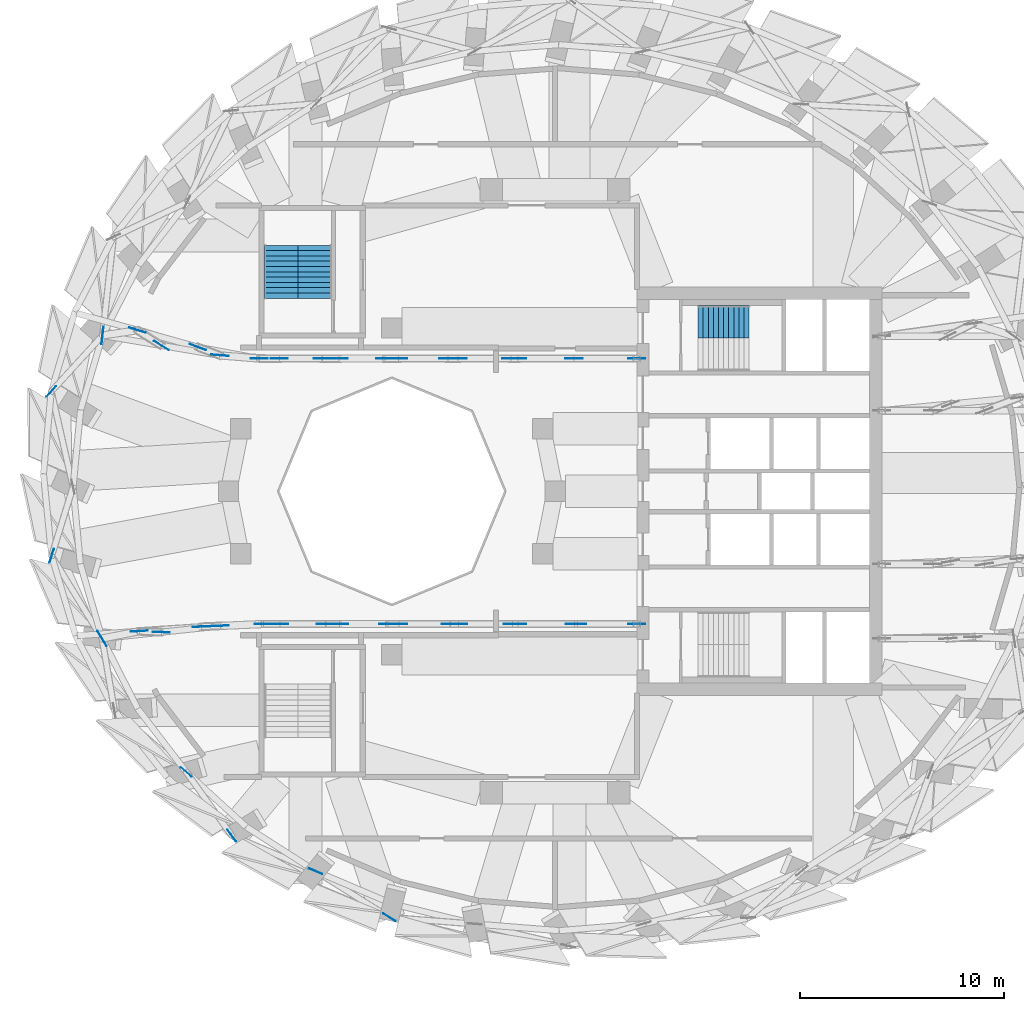
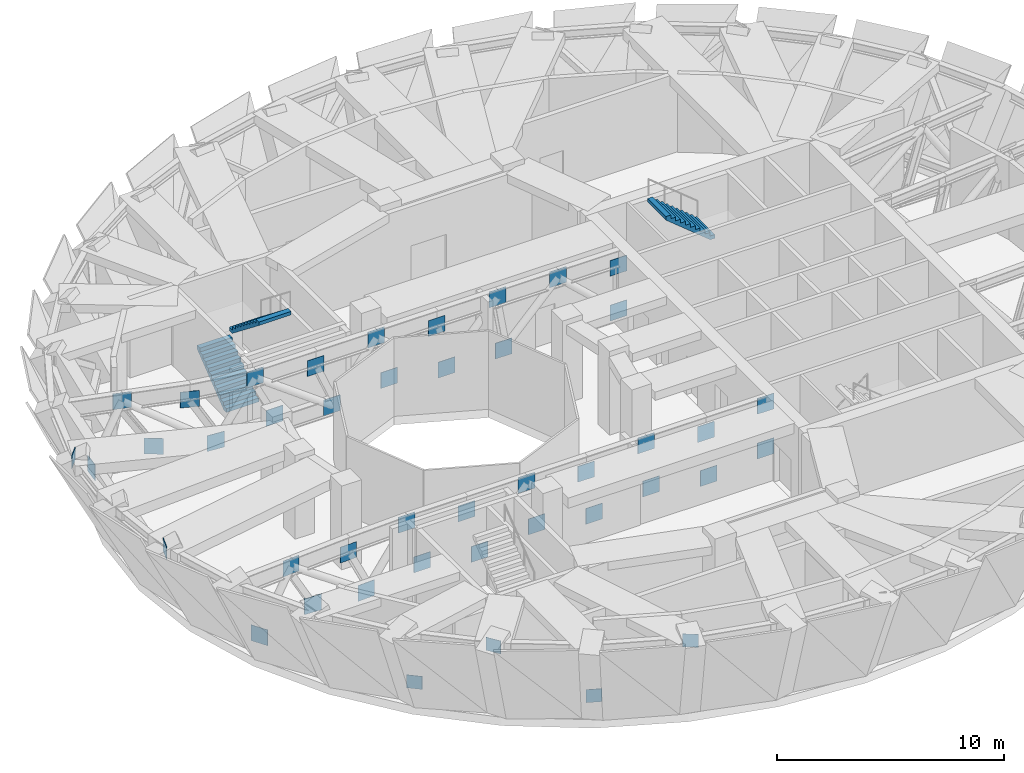
# One storey, part 10 of 16: 43 discrete accessories, 3 stair flights, 2 elements without a shape of their own.
"""IFC4 building model written with IfcOpenShell, lengths in metres."""

from ifc_helpers import new_model, si_unit, direction, frame, origin, origin_2d, place, context, subcontext, project, spatial, polyline, rectangle, outline, extrude, material, type_object, element, aggregate, save


model = new_model("IFC4")

# Units and contexts
model_context = context("Model", 3, precision=1e-05, world=origin(), true_north=direction((0.0, 1.0)))
body_context = subcontext(model_context, "Body", "Model", "MODEL_VIEW")
ifc_project = project(units=[si_unit("LENGTHUNIT", "METRE"), si_unit("AREAUNIT", "SQUARE_METRE"), si_unit("VOLUMEUNIT", "CUBIC_METRE"), si_unit("PLANEANGLEUNIT", "RADIAN"), si_unit("MASSUNIT", "GRAM", prefix="KILO")], contexts=[model_context])

# Site, building, storey
site_placement = place(None, origin())
site = spatial("IfcSite", under=ifc_project, at=site_placement, CompositionType="ELEMENT")
building_placement = place(site_placement, origin())
building = spatial("IfcBuilding", under=site, at=building_placement, Name="Taillehof Tower", CompositionType="ELEMENT")
storey_placement = place(building_placement, frame((0.0, 0.0, 184.699951171875)))
storey = spatial("IfcBuildingStorey", under=building, at=storey_placement, Name="L52", CompositionType="ELEMENT", Elevation=184.699951171875)

# Stair, stair flight
ifc_material_1 = material(Name="Concrete C40/50", Category="concrete")
stair_type = type_object("IfcStairType", Name="Exit stair half-turn", PredefinedType="HALF_TURN_STAIR", material=ifc_material_1)
stair_1_placement = place(storey_placement, origin())
stair_1 = element("IfcStair", 1, at=stair_1_placement, inside=storey, type_object=stair_type, Name="Exit stair S1", PredefinedType="HALF_TURN_STAIR")
ifc_material_2 = material(Name="Concrete C40/50", Category="concrete")
stair_flight_type_1 = type_object("IfcStairFlightType", Name="Stair flight 1600 riser 204.5 going 250", PredefinedType="STRAIGHT", material=ifc_material_2)
stair_flight_1_placement = place(storey_placement, frame((9.5, 8.300048828125, 2.25), z_axis=(0.0, 0.0, 1.0), x_axis=(-1.0, 0.0, 0.0)))
stair_flight_1 = element("IfcStairFlight", 2, at=stair_flight_1_placement, type_object=stair_flight_type_1, Name="S1 flight 2", NumberOfRisers=11, NumberOfTreads=10, PredefinedType="STRAIGHT", RiserHeight=0.204545455, TreadLength=0.25, context=body_context, shape_type="SweptSolid", body=[
    extrude(outline(polyline([(0.0, 0.0), (0.0, 0.006103515625), (0.0, 0.011962890625), (0.0, 0.01806640625), (0.0, 0.024169921875), (0.0, 0.030029296875), (0.0, 0.0361328125), (0.0, 0.0419921875), (0.0, 0.048095703125), (0.0, 0.05419921875), (0.0, 0.06005859375), (0.0, 0.066162109375), (0.0, 0.072265625), (0.0, 0.078125), (0.0, 0.084228515625), (0.0, 0.09033203125), (0.0, 0.09619140625), (0.0, 0.102294921875), (0.0, 0.1083984375), (0.0, 0.1142578125), (0.0, 0.120361328125), (0.0, 0.126220703125), (0.0, 0.13232421875), (0.0, 0.138427734375), (0.0, 0.144287109375), (0.0, 0.150390625), (0.0, 0.156494140625), (0.0, 0.162353515625), (0.0, 0.16845703125), (0.0, 0.174560546875), (0.0, 0.180419921875), (0.0, 0.1865234375), (0.0, 0.192626953125), (0.0, 0.198486328125), (0.0, 0.20458984375), (0.25, 0.20458984375), (0.25, 0.4091796875), (0.5, 0.4091796875), (0.5, 0.613525390625), (0.75, 0.613525390625), (0.75, 0.818115234375), (1.0, 0.818115234375), (1.0, 1.022705078125), (1.25, 1.022705078125), (1.25, 1.227294921875), (1.5, 1.227294921875), (1.5, 1.431884765625), (1.75, 1.431884765625), (1.75, 1.636474609375), (2.0, 1.636474609375), (2.0, 1.8408203125), (2.25, 1.8408203125), (2.25, 2.04541015625), (2.5, 2.04541015625), (2.5, 2.039794921875), (2.5, 2.0341796875), (2.5, 2.0283203125), (2.5, 2.022705078125), (2.5, 2.01708984375), (2.5, 2.01123046875), (2.5, 2.005615234375), (2.5, 2.0), (2.5, 1.994140625), (2.5, 1.988525390625), (2.5, 1.98291015625), (2.5, 1.97705078125), (2.5, 1.971435546875), (2.5, 1.9658203125), (2.5, 1.9599609375), (2.5, 1.954345703125), (2.5, 1.94873046875), (2.5, 1.94287109375), (2.5, 1.937255859375), (2.5, 1.931640625), (2.5, 1.92578125), (2.5, 1.920166015625), (2.5, 1.91455078125), (2.5, 1.90869140625), (2.5, 1.903076171875), (2.5, 1.8974609375), (2.5, 1.8916015625), (2.5, 1.885986328125), (2.5, 1.88037109375), (2.5, 1.87451171875), (2.5, 1.868896484375), (2.5, 1.86328125), (2.5, 1.857421875), (2.5, 1.851806640625), (0.23681640625, 0.0), (0.0, 0.0)])), frame((0.0, 0.800048828125, 0.0), z_axis=(0.0, -1.0, 0.0), x_axis=(1.0, 0.0, 0.0)), (0.0, 0.0, 1.0), 1.6),
])
aggregate(stair_1, [stair_flight_1])

# Stair, stair flights
stair_2_placement = place(storey_placement, origin())
stair_2 = element("IfcStair", 3, at=stair_2_placement, inside=storey, type_object=stair_type, Name="Exit stair S3", PredefinedType="HALF_TURN_STAIR")
ifc_material_3 = material(Name="Concrete C40/50", Category="concrete")
stair_flight_type_2 = type_object("IfcStairFlightType", Name="Stair flight 1650 riser 204.5 going 260", PredefinedType="STRAIGHT", material=ifc_material_3)
stair_flight_2_placement = place(storey_placement, frame((-13.425048828125, 9.449951171875, 0.0), z_axis=(0.0, 0.0, 1.0), x_axis=(0.0, 1.0, 0.0)))
stair_flight_2 = element("IfcStairFlight", 4, at=stair_flight_2_placement, type_object=stair_flight_type_2, Name="S3 flight 1", NumberOfRisers=11, NumberOfTreads=10, PredefinedType="STRAIGHT", RiserHeight=0.204545455, TreadLength=0.26, context=body_context, shape_type="SweptSolid", body=[
    extrude(outline(polyline([(0.0, 0.0), (0.0, 0.006103515625), (0.0, 0.011962890625), (0.0, 0.01806640625), (0.0, 0.024169921875), (0.0, 0.030029296875), (0.0, 0.0361328125), (0.0, 0.0419921875), (0.0, 0.048095703125), (0.0, 0.05419921875), (0.0, 0.06005859375), (0.0, 0.066162109375), (0.0, 0.072265625), (0.0, 0.078125), (0.0, 0.084228515625), (0.0, 0.09033203125), (0.0, 0.09619140625), (0.0, 0.102294921875), (0.0, 0.1083984375), (0.0, 0.1142578125), (0.0, 0.120361328125), (0.0, 0.126220703125), (0.0, 0.13232421875), (0.0, 0.138427734375), (0.0, 0.144287109375), (0.0, 0.150390625), (0.0, 0.156494140625), (0.0, 0.162353515625), (0.0, 0.16845703125), (0.0, 0.174560546875), (0.0, 0.180419921875), (0.0, 0.1865234375), (0.0, 0.192626953125), (0.0, 0.198486328125), (0.0, 0.20458984375), (0.260009765625, 0.20458984375), (0.260009765625, 0.4091796875), (0.52001953125, 0.4091796875), (0.52001953125, 0.613525390625), (0.780029296875, 0.613525390625), (0.780029296875, 0.818115234375), (1.0400390625, 0.818115234375), (1.0400390625, 1.022705078125), (1.300048828125, 1.022705078125), (1.300048828125, 1.227294921875), (1.56005859375, 1.227294921875), (1.56005859375, 1.431884765625), (1.820068359375, 1.431884765625), (1.820068359375, 1.636474609375), (2.080078125, 1.636474609375), (2.080078125, 1.8408203125), (2.340087890625, 1.8408203125), (2.340087890625, 2.04541015625), (2.60009765625, 2.04541015625), (2.60009765625, 2.039794921875), (2.60009765625, 2.0341796875), (2.60009765625, 2.028564453125), (2.60009765625, 2.02294921875), (2.60009765625, 2.017333984375), (2.60009765625, 2.01171875), (2.60009765625, 2.006103515625), (2.60009765625, 2.00048828125), (2.60009765625, 1.994873046875), (2.60009765625, 1.9892578125), (2.60009765625, 1.983642578125), (2.60009765625, 1.97802734375), (2.60009765625, 1.972412109375), (2.60009765625, 1.966796875), (2.60009765625, 1.96142578125), (2.60009765625, 1.955810546875), (2.60009765625, 1.9501953125), (2.60009765625, 1.944580078125), (2.60009765625, 1.93896484375), (2.60009765625, 1.933349609375), (2.60009765625, 1.927734375), (2.60009765625, 1.922119140625), (2.60009765625, 1.91650390625), (2.60009765625, 1.910888671875), (2.60009765625, 1.9052734375), (2.60009765625, 1.899658203125), (2.60009765625, 1.89404296875), (2.60009765625, 1.888427734375), (2.60009765625, 1.8828125), (2.60009765625, 1.877197265625), (2.60009765625, 1.87158203125), (2.60009765625, 1.865966796875), (2.60009765625, 1.8603515625), (2.60009765625, 1.854736328125), (0.242431640625, 0.0), (0.0, 0.0)])), frame((0.0, 0.824951171875, 0.0), z_axis=(0.0, -1.0, 0.0), x_axis=(1.0, 0.0, 0.0)), (0.0, 0.0, 1.0), 1.65),
])
stair_flight_3_placement = place(storey_placement, frame((-11.77490234375, 12.050048828125, 2.25), z_axis=(0.0, 0.0, 1.0), x_axis=(0.0, -1.0, 0.0)))
stair_flight_3 = element("IfcStairFlight", 5, at=stair_flight_3_placement, type_object=stair_flight_type_2, Name="S3 flight 2", NumberOfRisers=11, NumberOfTreads=10, PredefinedType="STRAIGHT", RiserHeight=0.204545455, TreadLength=0.26, context=body_context, shape_type="SweptSolid", body=[
    extrude(outline(polyline([(0.0, 0.0), (0.0, 0.006103515625), (0.0, 0.011962890625), (0.0, 0.01806640625), (0.0, 0.024169921875), (0.0, 0.030029296875), (0.0, 0.0361328125), (0.0, 0.0419921875), (0.0, 0.048095703125), (0.0, 0.05419921875), (0.0, 0.06005859375), (0.0, 0.066162109375), (0.0, 0.072265625), (0.0, 0.078125), (0.0, 0.084228515625), (0.0, 0.09033203125), (0.0, 0.09619140625), (0.0, 0.102294921875), (0.0, 0.1083984375), (0.0, 0.1142578125), (0.0, 0.120361328125), (0.0, 0.126220703125), (0.0, 0.13232421875), (0.0, 0.138427734375), (0.0, 0.144287109375), (0.0, 0.150390625), (0.0, 0.156494140625), (0.0, 0.162353515625), (0.0, 0.16845703125), (0.0, 0.174560546875), (0.0, 0.180419921875), (0.0, 0.1865234375), (0.0, 0.192626953125), (0.0, 0.198486328125), (0.0, 0.20458984375), (0.260009765625, 0.20458984375), (0.260009765625, 0.4091796875), (0.52001953125, 0.4091796875), (0.52001953125, 0.613525390625), (0.780029296875, 0.613525390625), (0.780029296875, 0.818115234375), (1.0400390625, 0.818115234375), (1.0400390625, 1.022705078125), (1.300048828125, 1.022705078125), (1.300048828125, 1.227294921875), (1.56005859375, 1.227294921875), (1.56005859375, 1.431884765625), (1.820068359375, 1.431884765625), (1.820068359375, 1.636474609375), (2.080078125, 1.636474609375), (2.080078125, 1.8408203125), (2.340087890625, 1.8408203125), (2.340087890625, 2.04541015625), (2.60009765625, 2.04541015625), (2.60009765625, 2.039794921875), (2.60009765625, 2.0341796875), (2.60009765625, 2.028564453125), (2.60009765625, 2.02294921875), (2.60009765625, 2.017333984375), (2.60009765625, 2.01171875), (2.60009765625, 2.006103515625), (2.60009765625, 2.00048828125), (2.60009765625, 1.994873046875), (2.60009765625, 1.9892578125), (2.60009765625, 1.983642578125), (2.60009765625, 1.97802734375), (2.60009765625, 1.972412109375), (2.60009765625, 1.966796875), (2.60009765625, 1.96142578125), (2.60009765625, 1.955810546875), (2.60009765625, 1.9501953125), (2.60009765625, 1.944580078125), (2.60009765625, 1.93896484375), (2.60009765625, 1.933349609375), (2.60009765625, 1.927734375), (2.60009765625, 1.922119140625), (2.60009765625, 1.91650390625), (2.60009765625, 1.910888671875), (2.60009765625, 1.9052734375), (2.60009765625, 1.899658203125), (2.60009765625, 1.89404296875), (2.60009765625, 1.888427734375), (2.60009765625, 1.8828125), (2.60009765625, 1.877197265625), (2.60009765625, 1.87158203125), (2.60009765625, 1.865966796875), (2.60009765625, 1.8603515625), (2.60009765625, 1.854736328125), (0.242431640625, 0.0), (0.0, 0.0)])), frame((0.0, 0.824951171875, 0.0), z_axis=(0.0, -1.0, 0.0), x_axis=(1.0, 0.0, 0.0)), (0.0, 0.0, 1.0), 1.65),
])
aggregate(stair_2, [stair_flight_2, stair_flight_3])

# Discrete accessories
ifc_material_4 = material(Name="Steel S460M", Category="steel")
discrete_accessory_type = type_object("IfcDiscreteAccessoryType", Name="Steel gusset plate", PredefinedType="BRACKET", material=ifc_material_4)
for number, where, z_axis, x_axis, name in (
    (6, (-24.679931640625, 4.889892578125, 3.6201171875), (0.0, 0.0, 1.0), (-0.6749993535, -0.737818319625, 0.0), "Gusset plate 206"),
    (7, (-24.659912109375, -3.159912109375, 3.6201171875), (0.0, 0.0, 1.0), (-0.296511571993, -0.955029260114, 0.0), "Gusset plate 207"),
):
    element("IfcDiscreteAccessory", number, at=place(storey_placement, frame(where, z_axis=z_axis, x_axis=x_axis)), inside=storey, type_object=discrete_accessory_type, Name=name, PredefinedType="BRACKET", context=body_context, shape_type="SweptSolid", body=[
        extrude(rectangle(XDim=0.699951171875, YDim=0.02490234375, at=origin_2d()), origin(), (0.0, 0.0, 1.0), 0.699951171875),
    ])
for number, where, z_axis, x_axis, name in (
    (8, (-22.18994140625, -7.2099609375, 0.47509765625), (0.0, 0.0, 1.0), (0.521182429514, -0.853445297114, 0.0), "Gusset plate 209"),
    (9, (-22.169921875, 7.6298828125, 0.47509765625), (0.0, 0.0, 1.0), (-0.110464627626, -0.993880056165, 0.0), "Gusset plate 210"),
    (10, (-20.4599609375, 7.889892578125, 3.344970703125), (0.0, 0.0, 1.0), (-0.956745570171, 0.290925959581, 0.0), "Gusset plate 213"),
    (11, (-20.3701171875, -6.85009765625, 3.344970703125), (0.0, 0.0, 1.0), (-0.997897671658, -0.064809234684, 0.0), "Gusset plate 214"),
):
    element("IfcDiscreteAccessory", number, at=place(storey_placement, frame(where, z_axis=z_axis, x_axis=x_axis)), inside=storey, type_object=discrete_accessory_type, Name=name, PredefinedType="BRACKET", context=body_context, shape_type="SweptSolid", body=[
        extrude(rectangle(XDim=0.85009765625, YDim=0.02490234375, at=origin_2d()), origin(), (0.0, 0.0, 1.0), 0.85009765625),
    ])
discrete_accessory_1_placement = place(storey_placement, frame((-18.070068359375, -13.75, 0.55029296875), z_axis=(0.0, 0.0, 1.0), x_axis=(0.757774572963, -0.652516433947, 0.0)))
element("IfcDiscreteAccessory", 12, at=discrete_accessory_1_placement, inside=storey, type_object=discrete_accessory_type, Name="Gusset plate 215", PredefinedType="BRACKET", context=body_context, shape_type="SweptSolid", body=[
    extrude(rectangle(XDim=0.699951171875, YDim=0.02490234375, at=origin_2d()), origin(), (0.0, 0.0, 1.0), 0.699951171875),
])
for number, where, z_axis, x_axis, name in (
    (13, (-16.409912109375, 6.659912109375, 0.47509765625), (0.0, 0.0, 1.0), (-0.99674969828, 0.080560778162, 0.0), "Gusset plate 217"),
    (14, (-16.39990234375, -6.590087890625, 0.47509765625), (0.0, 0.0, 1.0), (-0.998995749458, -0.044805050665, 0.0), "Gusset plate 218"),
):
    element("IfcDiscreteAccessory", number, at=place(storey_placement, frame(where, z_axis=z_axis, x_axis=x_axis)), inside=storey, type_object=discrete_accessory_type, Name=name, PredefinedType="BRACKET", context=body_context, shape_type="SweptSolid", body=[
        extrude(rectangle(XDim=0.85009765625, YDim=0.02490234375, at=origin_2d()), origin(), (0.0, 0.0, 1.0), 0.85009765625),
    ])
discrete_accessory_2_placement = place(storey_placement, frame((-15.840087890625, -16.860107421875, 3.6201171875), z_axis=(0.0, 0.0, 1.0), x_axis=(0.582020788306, -0.813173906357, 0.0)))
element("IfcDiscreteAccessory", 15, at=discrete_accessory_2_placement, inside=storey, type_object=discrete_accessory_type, Name="Gusset plate 220", PredefinedType="BRACKET", context=body_context, shape_type="SweptSolid", body=[
    extrude(rectangle(XDim=0.699951171875, YDim=0.02490234375, at=origin_2d()), origin(), (0.0, 0.0, 1.0), 0.699951171875),
])
for number, where, z_axis, x_axis, name in (
    (16, (-14.489990234375, 6.5, 3.344970703125), (0.0, 0.0, 1.0), (-1.0, 0.0, 0.0), "Gusset plate 221"),
    (17, (-14.280029296875, -6.5, 3.344970703125), (0.0, 0.0, 1.0), (-1.0, 0.0, 0.0), "Gusset plate 222"),
):
    element("IfcDiscreteAccessory", number, at=place(storey_placement, frame(where, z_axis=z_axis, x_axis=x_axis)), inside=storey, type_object=discrete_accessory_type, Name=name, PredefinedType="BRACKET", context=body_context, shape_type="SweptSolid", body=[
        extrude(rectangle(XDim=0.85009765625, YDim=0.02490234375, at=origin_2d()), origin(), (0.0, 0.0, 1.0), 0.85009765625),
    ])
discrete_accessory_3_placement = place(storey_placement, frame((-11.72998046875, -18.610107421875, 0.55029296875), z_axis=(0.0, 0.0, 1.0), x_axis=(0.920347247162, -0.391102217638, 0.0)))
element("IfcDiscreteAccessory", 18, at=discrete_accessory_3_placement, inside=storey, type_object=discrete_accessory_type, Name="Gusset plate 223", PredefinedType="BRACKET", context=body_context, shape_type="SweptSolid", body=[
    extrude(rectangle(XDim=0.699951171875, YDim=0.02490234375, at=origin_2d()), origin(), (0.0, 0.0, 1.0), 0.699951171875),
])
for number, where, z_axis, x_axis, name in (
    (19, (-10.590087890625, 6.5, 0.47509765625), (0.0, 0.0, 1.0), (-1.0, 0.0, 0.0), "Gusset plate 225"),
    (20, (-10.570068359375, -6.5, 0.47509765625), (0.0, 0.0, 1.0), (-1.0, 0.0, 0.0), "Gusset plate 226"),
    (21, (-8.330078125, 6.5, 3.344970703125), (0.0, 0.0, 1.0), (-1.0, 0.0, 0.0), "Gusset plate 227"),
    (22, (-8.18994140625, -6.5, 3.344970703125), (0.0, 0.0, 1.0), (-1.0, 0.0, 0.0), "Gusset plate 228"),
):
    element("IfcDiscreteAccessory", number, at=place(storey_placement, frame(where, z_axis=z_axis, x_axis=x_axis)), inside=storey, type_object=discrete_accessory_type, Name=name, PredefinedType="BRACKET", context=body_context, shape_type="SweptSolid", body=[
        extrude(rectangle(XDim=0.85009765625, YDim=0.02490234375, at=origin_2d()), origin(), (0.0, 0.0, 1.0), 0.85009765625),
    ])
discrete_accessory_4_placement = place(storey_placement, frame((-8.1201171875, -20.8701171875, 3.6201171875), z_axis=(0.0, 0.0, 1.0), x_axis=(0.847539945837, -0.530731608453, 0.0)))
element("IfcDiscreteAccessory", 23, at=discrete_accessory_4_placement, inside=storey, type_object=discrete_accessory_type, Name="Gusset plate 230", PredefinedType="BRACKET", context=body_context, shape_type="SweptSolid", body=[
    extrude(rectangle(XDim=0.699951171875, YDim=0.02490234375, at=origin_2d()), origin(), (0.0, 0.0, 1.0), 0.699951171875),
])
for number, where, z_axis, x_axis, name in (
    (24, (-4.75, 6.5, 0.47509765625), (0.0, 0.0, 1.0), (-1.0, 0.0, 0.0), "Gusset plate 231"),
    (25, (-4.739990234375, -6.5, 0.47509765625), (0.0, 0.0, 1.0), (-1.0, 0.0, 0.0), "Gusset plate 232"),
    (26, (-2.159912109375, 6.5, 3.344970703125), (0.0, 0.0, 1.0), (-1.0, 0.0, 0.0), "Gusset plate 235"),
    (27, (-2.090087890625, -6.5, 3.344970703125), (0.0, 0.0, 1.0), (-1.0, 0.0, 0.0), "Gusset plate 236"),
    (28, (-1.840087890625, 6.5, 0.47509765625), (0.0, 0.0, 1.0), (-1.0, 0.0, 0.0), "Gusset plate 237"),
    (29, (0.919921875, 6.5, 3.344970703125), (0.0, 0.0, 1.0), (-1.0, 0.0, 0.0), "Gusset plate 240"),
    (30, (1.090087890625, -6.5, 0.47509765625), (0.0, 0.0, 1.0), (-1.0, 0.0, 0.0), "Gusset plate 241"),
    (31, (4.0, -6.5, 3.344970703125), (0.0, 0.0, 1.0), (-1.0, 0.0, 0.0), "Gusset plate 242"),
    (32, (4.0, 6.5, 0.47509765625), (0.0, 0.0, 1.0), (-1.0, 0.0, 0.0), "Gusset plate 243"),
    (33, (4.0, 6.5, 2.885009765625), (0.0, 0.0, 1.0), (1.0, 0.0, 0.0), "Gusset plate 492"),
    (34, (-5.25, 6.5, 2.885009765625), (0.0, 0.0, 1.0), (-1.0, 0.0, 0.0), "Gusset plate 493"),
    (35, (-7.669921875, 6.5, 0.93505859375), (0.0, 0.0, 1.0), (-1.0, 0.0, 0.0), "Gusset plate 494"),
    (36, (-11.409912109375, 6.5, 2.885009765625), (0.0, 0.0, 1.0), (-1.0, 0.0, 0.0), "Gusset plate 495"),
    (37, (-13.510009765625, 6.5, 0.93505859375), (0.0, 0.0, 1.0), (-1.0, 0.0, 0.0), "Gusset plate 496"),
    (38, (-17.5, 7.06005859375, 2.885009765625), (0.0, 0.0, 1.0), (-0.937364093828, 0.348351195782, 0.0), "Gusset plate 497"),
    (39, (-19.2900390625, 7.139892578125, 0.93505859375), (0.0, 0.0, 1.0), (-0.845234786136, 0.534395131251, 0.0), "Gusset plate 498"),
    (40, (4.0, -6.5, 0.93505859375), (0.0, 0.0, 1.0), (1.0, 0.0, 0.0), "Gusset plate 499"),
    (41, (0.949951171875, -6.5, 2.885009765625), (0.0, 0.0, 1.0), (-1.0, 0.0, 0.0), "Gusset plate 500"),
    (42, (-1.830078125, -6.5, 0.93505859375), (0.0, 0.0, 1.0), (-1.0, 0.0, 0.0), "Gusset plate 501"),
    (43, (-5.139892578125, -6.5, 2.885009765625), (0.0, 0.0, 1.0), (-1.0, 0.0, 0.0), "Gusset plate 502"),
    (44, (-7.659912109375, -6.5, 0.93505859375), (0.0, 0.0, 1.0), (-1.0, 0.0, 0.0), "Gusset plate 503"),
    (45, (-11.239990234375, -6.5, 2.885009765625), (0.0, 0.0, 1.0), (-1.0, 0.0, 0.0), "Gusset plate 504"),
    (46, (-13.489990234375, -6.5, 0.93505859375), (0.0, 0.0, 1.0), (-1.0, 0.0, 0.0), "Gusset plate 505"),
    (47, (-17.330078125, -6.6298828125, 2.885009765625), (0.0, 0.0, 1.0), (-0.999185545511, -0.040351525884, 0.0), "Gusset plate 506"),
    (48, (-19.2900390625, -6.89990234375, 0.93505859375), (0.0, 0.0, 1.0), (-0.998967083218, 0.045439703428, 0.0), "Gusset plate 507"),
):
    element("IfcDiscreteAccessory", number, at=place(storey_placement, frame(where, z_axis=z_axis, x_axis=x_axis)), inside=storey, type_object=discrete_accessory_type, Name=name, PredefinedType="BRACKET", context=body_context, shape_type="SweptSolid", body=[
        extrude(rectangle(XDim=0.85009765625, YDim=0.02490234375, at=origin_2d()), origin(), (0.0, 0.0, 1.0), 0.85009765625),
    ])

save(model, "model.ifc")
